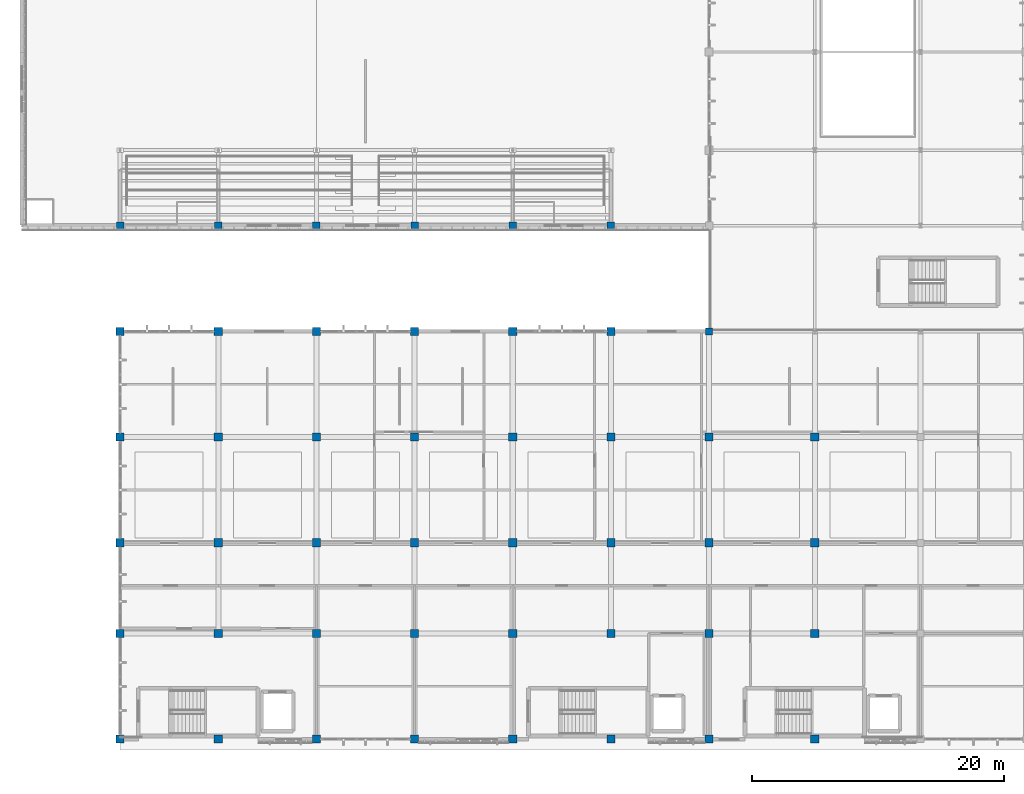
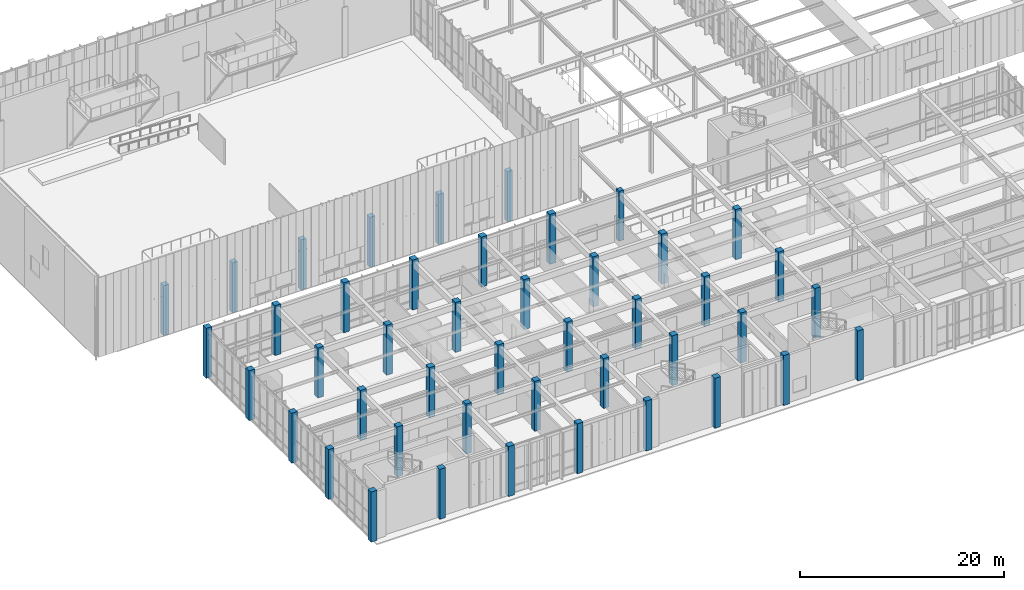
# One storey, part 1 of 105: 45 columns.
"""IFC4 building model written with IfcOpenShell, lengths in metres."""

from ifc_helpers import new_model, si_unit, direction, frame, origin, origin_2d, place, context, subcontext, project, spatial, rectangle, extrude, material, material_profile, profile_set, type_object, element, save


model = new_model("IFC4")

# Units and contexts
model_context = context("Model", 3, precision=1e-05, world=origin(), true_north=direction((0.0, 1.0)))
body_context = subcontext(model_context, "Body", "Model", "MODEL_VIEW")
ifc_project = project(units=[si_unit("LENGTHUNIT", "METRE"), si_unit("AREAUNIT", "SQUARE_METRE"), si_unit("VOLUMEUNIT", "CUBIC_METRE"), si_unit("PLANEANGLEUNIT", "RADIAN"), si_unit("MASSUNIT", "GRAM", prefix="KILO")], contexts=[model_context])

# Site, building, storey
site_placement = place(None, origin())
site = spatial("IfcSite", under=ifc_project, at=site_placement, CompositionType="ELEMENT")
building_placement = place(site_placement, origin())
building = spatial("IfcBuilding", under=site, at=building_placement, Name="Tizgana Railside Sports Hall", CompositionType="ELEMENT")
storey_placement = place(building_placement, frame((0.0, 0.0, 6.0)))
storey = spatial("IfcBuildingStorey", under=building, at=storey_placement, Name="L01", CompositionType="ELEMENT", Elevation=6.0)

# Columns
ifc_material = material(Name="Concrete C40/50", Category="concrete")
ifc_material_profile_1 = material_profile(ifc_material, rectangle(XDim=0.550048828125, YDim=0.550048828125, at=origin_2d()), Name="RC 550x550")
ifc_profile_set_1 = profile_set([ifc_material_profile_1], Name="Concrete C40/50")
column_type_1 = type_object("IfcColumnType", Name="Concrete Column RC 550x550", PredefinedType="COLUMN", material=ifc_profile_set_1)
column_placement = place(storey_placement, frame((54.60009765625, 32.39990234375, 0.0), z_axis=(0.0, 0.0, 1.0), x_axis=(1.0, 0.0, 0.0)))
element("IfcColumn", 1, at=column_placement, inside=storey, type_object=column_type_1, Name="L01 COL-0186", PredefinedType="COLUMN", context=body_context, shape_type="SweptSolid", body=[
    extrude(rectangle(XDim=0.550048828125, YDim=0.550048828125, at=origin_2d()), origin(), (0.0, 0.0, 1.0), 6.0),
])
ifc_material_profile_2 = material_profile(ifc_material, rectangle(XDim=0.60009765625, YDim=0.60009765625, at=origin_2d()), Name="RC 600x600")
ifc_profile_set_2 = profile_set([ifc_material_profile_2], Name="Concrete C40/50")
column_type_2 = type_object("IfcColumnType", Name="Concrete Column RC 600x600", PredefinedType="COLUMN", material=ifc_profile_set_2)
for number, where, z_axis, x_axis, name in (
    (2, (7.800048828125, 40.800048828125, 0.0), (0.0, 0.0, 1.0), (1.0, 0.0, 0.0), "L01 COL-0007"),
    (3, (15.60009765625, 40.800048828125, 0.0), (0.0, 0.0, 1.0), (1.0, 0.0, 0.0), "L01 COL-0031"),
    (4, (23.39990234375, 40.800048828125, 0.0), (0.0, 0.0, 1.0), (1.0, 0.0, 0.0), "L01 COL-0055"),
    (5, (31.199951171875, 40.800048828125, 0.0), (0.0, 0.0, 1.0), (1.0, 0.0, 0.0), "L01 COL-0079"),
    (6, (39.0, 40.800048828125, 0.0), (0.0, 0.0, 1.0), (1.0, 0.0, 0.0), "L01 COL-0103"),
    (7, (46.800048828125, 40.800048828125, 0.0), (0.0, 0.0, 1.0), (1.0, 0.0, 0.0), "L01 COL-0127"),
):
    element("IfcColumn", number, at=place(storey_placement, frame(where, z_axis=z_axis, x_axis=x_axis)), inside=storey, type_object=column_type_2, Name=name, PredefinedType="COLUMN", context=body_context, shape_type="SweptSolid", body=[
        extrude(rectangle(XDim=0.60009765625, YDim=0.60009765625, at=origin_2d()), origin(), (0.0, 0.0, 1.0), 6.0),
    ])
ifc_material_profile_3 = material_profile(ifc_material, rectangle(XDim=0.64990234375, YDim=0.64990234375, at=origin_2d()), Name="RC 650x650")
ifc_profile_set_3 = profile_set([ifc_material_profile_3], Name="Concrete C40/50")
column_type_3 = type_object("IfcColumnType", Name="Concrete Column RC 650x650", PredefinedType="COLUMN", material=ifc_profile_set_3)
for number, where, z_axis, x_axis, name in (
    (8, (7.800048828125, 0.0, 0.0), (0.0, 0.0, 1.0), (1.0, 0.0, 0.0), "L01 COL-0535"),
    (9, (7.800048828125, 8.39990234375, 0.0), (0.0, 0.0, 1.0), (1.0, 0.0, 0.0), "L01 COL-0542"),
    (10, (7.800048828125, 15.60009765625, 0.0), (0.0, 0.0, 1.0), (1.0, 0.0, 0.0), "L01 COL-0549"),
    (11, (7.800048828125, 24.0, 0.0), (0.0, 0.0, 1.0), (1.0, 0.0, 0.0), "L01 COL-0556"),
    (12, (7.800048828125, 32.39990234375, 0.0), (0.0, 0.0, 1.0), (1.0, 0.0, 0.0), "L01 COL-0562"),
    (13, (15.60009765625, 0.0, 0.0), (0.0, 0.0, 1.0), (1.0, 0.0, 0.0), "L01 COL-0568"),
    (14, (15.60009765625, 8.39990234375, 0.0), (0.0, 0.0, 1.0), (1.0, 0.0, 0.0), "L01 COL-0575"),
    (15, (15.60009765625, 15.60009765625, 0.0), (0.0, 0.0, 1.0), (1.0, 0.0, 0.0), "L01 COL-0582"),
    (16, (15.60009765625, 24.0, 0.0), (0.0, 0.0, 1.0), (1.0, 0.0, 0.0), "L01 COL-0589"),
    (17, (15.60009765625, 32.39990234375, 0.0), (0.0, 0.0, 1.0), (1.0, 0.0, 0.0), "L01 COL-0595"),
    (18, (23.39990234375, 0.0, 0.0), (0.0, 0.0, 1.0), (1.0, 0.0, 0.0), "L01 COL-0601"),
    (19, (23.39990234375, 8.39990234375, 0.0), (0.0, 0.0, 1.0), (1.0, 0.0, 0.0), "L01 COL-0608"),
    (20, (23.39990234375, 15.60009765625, 0.0), (0.0, 0.0, 1.0), (1.0, 0.0, 0.0), "L01 COL-0615"),
    (21, (23.39990234375, 24.0, 0.0), (0.0, 0.0, 1.0), (1.0, 0.0, 0.0), "L01 COL-0622"),
    (22, (23.39990234375, 32.39990234375, 0.0), (0.0, 0.0, 1.0), (1.0, 0.0, 0.0), "L01 COL-0628"),
    (23, (31.199951171875, 0.0, 0.0), (0.0, 0.0, 1.0), (1.0, 0.0, 0.0), "L01 COL-0634"),
    (24, (31.199951171875, 8.39990234375, 0.0), (0.0, 0.0, 1.0), (1.0, 0.0, 0.0), "L01 COL-0640"),
    (25, (31.199951171875, 15.60009765625, 0.0), (0.0, 0.0, 1.0), (1.0, 0.0, 0.0), "L01 COL-0646"),
    (26, (31.199951171875, 24.0, 0.0), (0.0, 0.0, 1.0), (1.0, 0.0, 0.0), "L01 COL-0652"),
    (27, (31.199951171875, 32.39990234375, 0.0), (0.0, 0.0, 1.0), (1.0, 0.0, 0.0), "L01 COL-0658"),
    (28, (39.0, 0.0, 0.0), (0.0, 0.0, 1.0), (1.0, 0.0, 0.0), "L01 COL-0664"),
    (29, (39.0, 8.39990234375, 0.0), (0.0, 0.0, 1.0), (1.0, 0.0, 0.0), "L01 COL-0670"),
    (30, (39.0, 15.60009765625, 0.0), (0.0, 0.0, 1.0), (1.0, 0.0, 0.0), "L01 COL-0676"),
    (31, (39.0, 24.0, 0.0), (0.0, 0.0, 1.0), (1.0, 0.0, 0.0), "L01 COL-0682"),
    (32, (39.0, 32.39990234375, 0.0), (0.0, 0.0, 1.0), (1.0, 0.0, 0.0), "L01 COL-0688"),
    (33, (46.800048828125, 0.0, 0.0), (0.0, 0.0, 1.0), (1.0, 0.0, 0.0), "L01 COL-0694"),
    (34, (46.800048828125, 8.39990234375, 0.0), (0.0, 0.0, 1.0), (1.0, 0.0, 0.0), "L01 COL-0700"),
    (35, (46.800048828125, 15.60009765625, 0.0), (0.0, 0.0, 1.0), (1.0, 0.0, 0.0), "L01 COL-0706"),
    (36, (46.800048828125, 24.0, 0.0), (0.0, 0.0, 1.0), (1.0, 0.0, 0.0), "L01 COL-0712"),
    (37, (46.800048828125, 32.39990234375, 0.0), (0.0, 0.0, 1.0), (1.0, 0.0, 0.0), "L01 COL-0718"),
    (38, (54.60009765625, 0.0, 0.0), (0.0, 0.0, 1.0), (1.0, 0.0, 0.0), "L01 COL-0724"),
    (39, (54.60009765625, 8.39990234375, 0.0), (0.0, 0.0, 1.0), (1.0, 0.0, 0.0), "L01 COL-0730"),
    (40, (54.60009765625, 15.60009765625, 0.0), (0.0, 0.0, 1.0), (1.0, 0.0, 0.0), "L01 COL-0736"),
    (41, (54.60009765625, 24.0, 0.0), (0.0, 0.0, 1.0), (1.0, 0.0, 0.0), "L01 COL-0742"),
    (42, (63.0, 0.0, 0.0), (0.0, 0.0, 1.0), (1.0, 0.0, 0.0), "L01 COL-0751"),
    (43, (63.0, 8.39990234375, 0.0), (0.0, 0.0, 1.0), (1.0, 0.0, 0.0), "L01 COL-0757"),
    (44, (63.0, 15.60009765625, 0.0), (0.0, 0.0, 1.0), (1.0, 0.0, 0.0), "L01 COL-0763"),
    (45, (63.0, 24.0, 0.0), (0.0, 0.0, 1.0), (1.0, 0.0, 0.0), "L01 COL-0769"),
):
    element("IfcColumn", number, at=place(storey_placement, frame(where, z_axis=z_axis, x_axis=x_axis)), inside=storey, type_object=column_type_3, Name=name, PredefinedType="COLUMN", context=body_context, shape_type="SweptSolid", body=[
        extrude(rectangle(XDim=0.64990234375, YDim=0.64990234375, at=origin_2d()), origin(), (0.0, 0.0, 1.0), 6.0),
    ])

save(model, "model.ifc")
